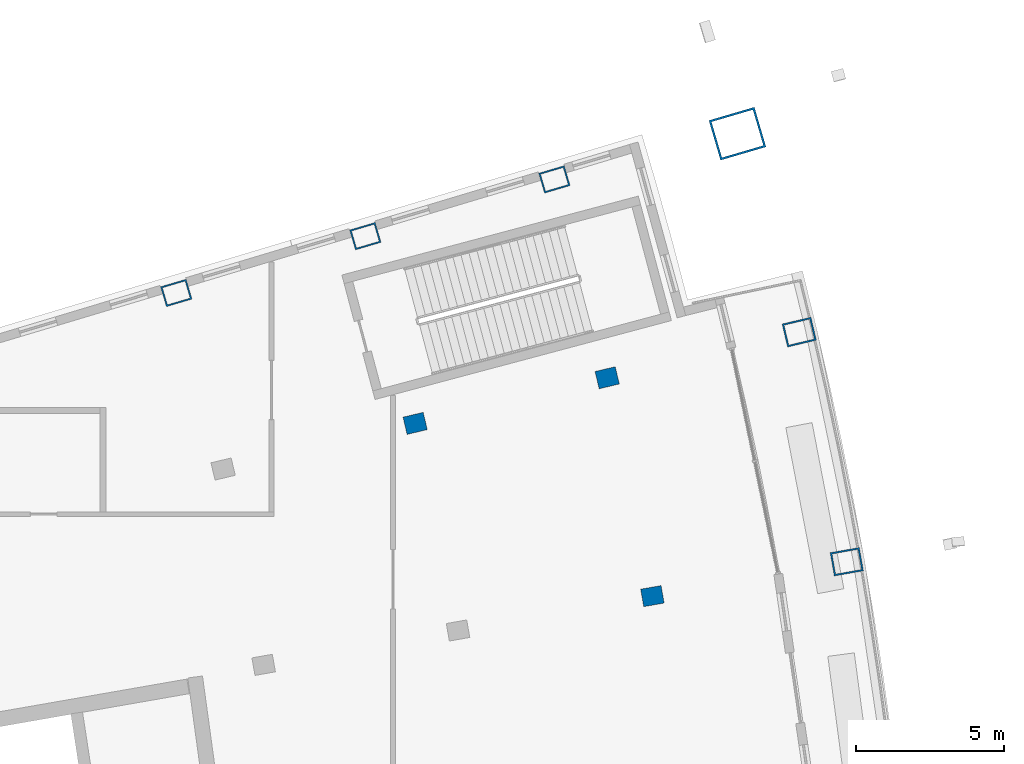
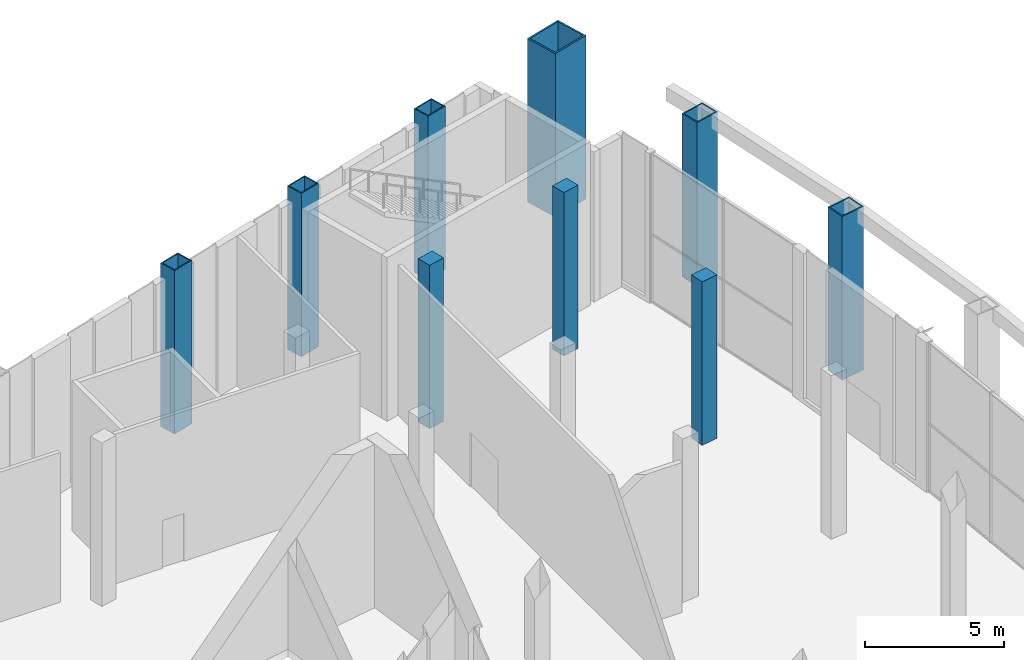
# One storey, part 6 of 25: 9 columns.
"""IFC4 building model written with IfcOpenShell, lengths in metres."""

from ifc_helpers import new_model, si_unit, direction, frame, origin, origin_2d, place, context, subcontext, project, spatial, rectangle, hollow_rectangle, extrude, material, material_profile, profile_set, type_object, element, save


model = new_model("IFC4")

# Units and contexts
model_context = context("Model", 3, precision=1e-05, world=origin(), true_north=direction((0.0, 1.0)))
body_context = subcontext(model_context, "Body", "Model", "MODEL_VIEW")
ifc_project = project(units=[si_unit("LENGTHUNIT", "METRE"), si_unit("AREAUNIT", "SQUARE_METRE"), si_unit("VOLUMEUNIT", "CUBIC_METRE"), si_unit("PLANEANGLEUNIT", "RADIAN"), si_unit("MASSUNIT", "GRAM", prefix="KILO")], contexts=[model_context])

# Site, building, storey
site_placement = place(None, origin())
site = spatial("IfcSite", under=ifc_project, at=site_placement, CompositionType="ELEMENT")
building_placement = place(site_placement, origin())
building = spatial("IfcBuilding", under=site, at=building_placement, Name="Alderwake Tower", CompositionType="ELEMENT")
storey_placement = place(building_placement, frame((0.0, 0.0, 288.800048828125)))
storey = spatial("IfcBuildingStorey", under=building, at=storey_placement, Name="L72", CompositionType="ELEMENT", Elevation=288.800048828125)

# Columns
ifc_material_1 = material(Name="Steel ASTM A572 Grade 50 concrete filled C70/85", Category="concrete")
ifc_material_profile_1 = material_profile(ifc_material_1, hollow_rectangle(XDim=0.699951171875, YDim=0.89990234375, WallThickness=0.050048828125, at=origin_2d()), Name="BOX 900X700X50")
ifc_profile_set_1 = profile_set([ifc_material_profile_1], Name="Steel ASTM A572 Grade 50 concrete filled C70/85")
column_type_1 = type_object("IfcColumnType", Name="End column Z5", PredefinedType="COLUMN", material=ifc_profile_set_1)
for number, where, z_axis, x_axis, name in (
    (1, (31.080322265625, 93.72314453125, 0.0), (0.0, 0.0, 1.0), (-0.282582549822, 0.959242984095, 0.0), "Column R12-C2"),
    (2, (37.465576171875, 95.64013671875, 0.0), (0.0, 0.0, 1.0), (-0.282853758087, 0.95916304742, 0.0), "Column R12-C3"),
    (3, (43.8505859375, 97.55712890625, 0.0), (0.0, 0.0, 1.0), (-0.283096487049, 0.95909143413, 0.0), "Column R12-C4"),
):
    element("IfcColumn", number, at=place(storey_placement, frame(where, z_axis=z_axis, x_axis=x_axis)), inside=storey, type_object=column_type_1, Name=name, PredefinedType="COLUMN", context=body_context, shape_type="SweptSolid", body=[
        extrude(hollow_rectangle(XDim=0.699951171875, YDim=0.89990234375, WallThickness=0.050048828125, at=origin_2d()), origin(), (0.0, 0.0, 1.0), 7.199951171875),
    ])
ifc_material_2 = material(Name="Concrete C70/85", Category="concrete")
ifc_material_profile_2 = material_profile(ifc_material_2, rectangle(XDim=0.60009765625, YDim=0.699951171875, at=origin_2d()), Name="RC 700X600")
ifc_profile_set_2 = profile_set([ifc_material_profile_2], Name="Concrete C70/85")
column_type_2 = type_object("IfcColumnType", Name="Interior column Z5", PredefinedType="COLUMN", material=ifc_profile_set_2)
for number, where, z_axis, x_axis, name in (
    (4, (47.160888671875, 83.483154296875, 0.0), (0.0, 0.0, 1.0), (-0.174108800747, 0.984726421654, 0.0), "Column R10-C4"),
    (5, (39.14794921875, 89.31689453125, 0.0), (0.0, 0.0, 1.0), (-0.231221547198, 0.972901123502, 0.0), "Column R11-C3"),
    (6, (45.6337890625, 90.8583984375, 0.0), (0.0, 0.0, 1.0), (-0.231221547198, 0.972901123502, 0.0), "Column R11-C4"),
):
    element("IfcColumn", number, at=place(storey_placement, frame(where, z_axis=z_axis, x_axis=x_axis)), inside=storey, type_object=column_type_2, Name=name, PredefinedType="COLUMN", context=body_context, shape_type="SweptSolid", body=[
        extrude(rectangle(XDim=0.60009765625, YDim=0.699951171875, at=origin_2d()), origin(), (0.0, 0.0, 1.0), 7.199951171875),
    ])
ifc_material_3 = material(Name="Steel ASTM A572 Grade 50 concrete filled C70/85", Category="concrete")
ifc_material_profile_3 = material_profile(ifc_material_3, hollow_rectangle(XDim=1.39990234375, YDim=1.60009765625, WallThickness=0.070068359375, at=origin_2d()), Name="BOX 1600X1400X70")
ifc_profile_set_3 = profile_set([ifc_material_profile_3], Name="Steel ASTM A572 Grade 50 concrete filled C70/85")
column_type_3 = type_object("IfcColumnType", Name="Mega column Z5", PredefinedType="COLUMN", material=ifc_profile_set_3)
column_placement = place(storey_placement, frame((50.03271484375, 99.101806640625, 0.0), z_axis=(0.0, 0.0, 1.0), x_axis=(-0.281194346997, 0.959650842347, 0.0)))
element("IfcColumn", 7, at=column_placement, inside=storey, type_object=column_type_3, Name="Column R12-C5", PredefinedType="COLUMN", context=body_context, shape_type="SweptSolid", body=[
    extrude(hollow_rectangle(XDim=1.39990234375, YDim=1.60009765625, WallThickness=0.070068359375, at=origin_2d()), origin(), (0.0, 0.0, 1.0), 7.199951171875),
])
ifc_material_4 = material(Name="Steel ASTM A572 Grade 50 concrete filled C70/85", Category="concrete")
ifc_material_profile_4 = material_profile(ifc_material_4, hollow_rectangle(XDim=0.800048828125, YDim=1.0, WallThickness=0.054931640625, at=origin_2d()), Name="BOX 1000X800X55")
ifc_profile_set_4 = profile_set([ifc_material_profile_4], Name="Steel ASTM A572 Grade 50 concrete filled C70/85")
column_type_4 = type_object("IfcColumnType", Name="Perimeter column Z5", PredefinedType="COLUMN", material=ifc_profile_set_4)
for number, where, z_axis, x_axis, name in (
    (8, (53.725830078125, 84.643798828125, 0.0), (0.0, 0.0, 1.0), (-0.174108800747, 0.984726421654, 0.0), "Column R10-C5"),
    (9, (52.1201171875, 92.39990234375, 0.0), (0.0, 0.0, 1.0), (-0.231221547198, 0.972901123502, 0.0), "Column R11-C5"),
):
    element("IfcColumn", number, at=place(storey_placement, frame(where, z_axis=z_axis, x_axis=x_axis)), inside=storey, type_object=column_type_4, Name=name, PredefinedType="COLUMN", context=body_context, shape_type="SweptSolid", body=[
        extrude(hollow_rectangle(XDim=0.800048828125, YDim=1.0, WallThickness=0.054931640625, at=origin_2d()), origin(), (0.0, 0.0, 1.0), 7.199951171875),
    ])

save(model, "model.ifc")
